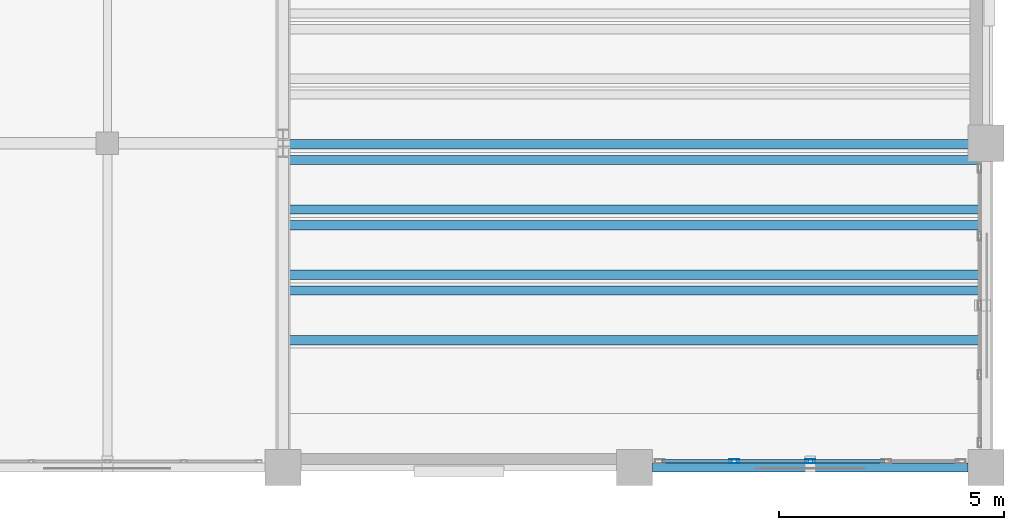
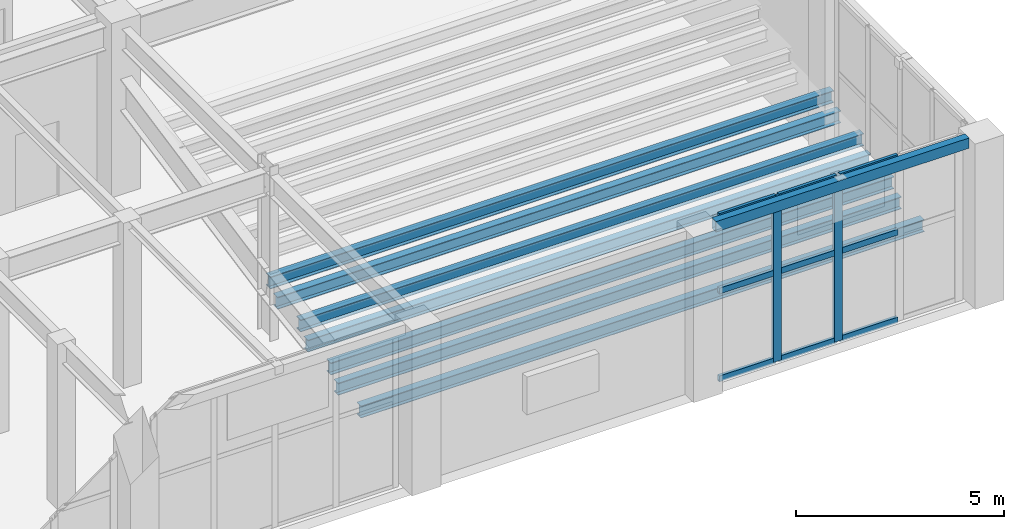
# One storey, part 80 of 128: 11 members, 8 beams, 1 element without a shape of its own.
"""IFC4 building model written with IfcOpenShell, lengths in metres."""

from ifc_helpers import new_model, si_unit, direction, frame, origin, origin_2d, place, context, subcontext, project, spatial, hollow_rectangle, i_section, extrude, material, layer, layer_set, material_profile, profile_set, type_object, element, aggregate, save


model = new_model("IFC4")

# Units and contexts
model_context = context("Model", 3, precision=1e-05, world=origin(), true_north=direction((0.0, 1.0)))
body_context = subcontext(model_context, "Body", "Model", "MODEL_VIEW")
ifc_project = project(units=[si_unit("LENGTHUNIT", "METRE"), si_unit("AREAUNIT", "SQUARE_METRE"), si_unit("VOLUMEUNIT", "CUBIC_METRE"), si_unit("PLANEANGLEUNIT", "RADIAN"), si_unit("MASSUNIT", "GRAM", prefix="KILO")], contexts=[model_context])

# Site, building, storey
site_placement = place(None, origin())
site = spatial("IfcSite", under=ifc_project, at=site_placement, CompositionType="ELEMENT")
building_placement = place(site_placement, origin())
building = spatial("IfcBuilding", under=site, at=building_placement, Name="Xicomal Pleat Aquarium", CompositionType="ELEMENT")
storey_placement = place(building_placement, frame((0.0, 0.0, 5.39990234375)))
storey = spatial("IfcBuildingStorey", under=building, at=storey_placement, Name="L02", CompositionType="ELEMENT", Elevation=5.39990234375)

# Beams
ifc_material_1 = material(Name="Structural steel A992 Gr 50", Category="steel")
ifc_material_profile_1 = material_profile(ifc_material_1, i_section(OverallWidth=0.205078125, OverallDepth=0.35400390625, WebThickness=0.009521484375, FlangeThickness=0.016845703125, at=origin_2d()), Name="IR 360x79")
ifc_profile_set_1 = profile_set([ifc_material_profile_1], Name="Structural steel A992 Gr 50")
beam_type_1 = type_object("IfcBeamType", Name="BM-STL-IR360", PredefinedType="JOIST", material=ifc_profile_set_1)
for number, where, z_axis, x_axis, name in (
    (1, (149.39990234375, 3.6298828125, 0.420166015625), (1.0, 0.0, 0.0), (0.0, 1.0, 0.0), "Auditorium seating tier cross beam 2A"),
    (2, (149.39990234375, 4.72998046875, 0.420166015625), (1.0, 0.0, 0.0), (0.0, 1.0, 0.0), "Auditorium seating tier cross beam 2B"),
    (3, (149.39990234375, 5.080078125, 0.800048828125), (1.0, 0.0, 0.0), (0.0, 1.0, 0.0), "Auditorium seating tier cross beam 3A"),
    (4, (149.39990234375, 6.179931640625, 0.800048828125), (1.0, 0.0, 0.0), (0.0, 1.0, 0.0), "Auditorium seating tier cross beam 3B"),
    (5, (149.39990234375, 6.530029296875, 1.18017578125), (1.0, 0.0, 0.0), (0.0, 1.0, 0.0), "Auditorium seating tier cross beam 4A"),
    (6, (149.39990234375, 7.6298828125, 1.18017578125), (1.0, 0.0, 0.0), (0.0, 1.0, 0.0), "Auditorium seating tier cross beam 4B"),
    (7, (149.39990234375, 7.97998046875, 1.56005859375), (1.0, 0.0, 0.0), (0.0, 1.0, 0.0), "Auditorium seating tier cross beam 5A"),
):
    element("IfcBeam", number, at=place(storey_placement, frame(where, z_axis=z_axis, x_axis=x_axis)), inside=storey, type_object=beam_type_1, Name=name, PredefinedType="JOIST", context=body_context, shape_type="SweptSolid", body=[
        extrude(i_section(OverallWidth=0.205078125, OverallDepth=0.35400390625, WebThickness=0.009521484375, FlangeThickness=0.016845703125, at=origin_2d()), origin(), (0.0, 0.0, 1.0), 15.60009765625),
    ])
ifc_material_2 = material(Name="Structural steel A500 Gr C", Category="steel")
ifc_material_profile_2 = material_profile(ifc_material_2, hollow_rectangle(XDim=0.199951171875, YDim=0.300048828125, WallThickness=0.011962890625, at=origin_2d()), Name="OR 300x200x12")
ifc_profile_set_2 = profile_set([ifc_material_profile_2], Name="Structural steel A500 Gr C")
beam_type_2 = type_object("IfcBeamType", Name="BM-STL-OR300", PredefinedType="SPANDREL", material=ifc_profile_set_2)
beam_placement = place(storey_placement, frame((157.594970703125, 0.800048828125, 4.690185546875), z_axis=(1.0, 0.0, 0.0), x_axis=(0.0, 1.0, 0.0)))
element("IfcBeam", 8, at=beam_placement, inside=storey, type_object=beam_type_2, Name="L02 framing beam FGX-L02-20-21-A", PredefinedType="SPANDREL", context=body_context, shape_type="SweptSolid", body=[
    extrude(hollow_rectangle(XDim=0.199951171875, YDim=0.300048828125, WallThickness=0.011962890625, at=origin_2d()), origin(), (0.0, 0.0, 1.0), 7.010009765625),
])

# Curtain wall, members
ifc_material_3 = material(Name="Bronze anodized aluminium 6063-T6", Category="aluminium")
ifc_layer = layer(ifc_material_3, 0.159912109375)
ifc_layer_set = layer_set([ifc_layer], Name="Bronze anodized aluminium 6063-T6")
curtain_wall_type = type_object("IfcCurtainWallType", Name="CW-SYS-12", PredefinedType="NOTDEFINED", material=ifc_layer_set)
curtain_wall_placement = place(storey_placement, origin())
curtain_wall = element("IfcCurtainWall", 9, at=curtain_wall_placement, inside=storey, type_object=curtain_wall_type, Name="L02 unitised curtain wall CW-L02-074", PredefinedType="NOTDEFINED")
ifc_material_4 = material(Name="Bronze anodized aluminium 6063-T6", Category="aluminium")
ifc_material_profile_3 = material_profile(ifc_material_4, hollow_rectangle(XDim=0.0849609375, YDim=0.219970703125, WallThickness=0.0048828125, at=origin_2d()), Name="ALU MULL 85x220")
ifc_profile_set_3 = profile_set([ifc_material_profile_3], Name="Bronze anodized aluminium 6063-T6")
member_type_1 = type_object("IfcMemberType", Name="CWM-85x220", PredefinedType="MULLION", material=ifc_profile_set_3)
member_1_placement = place(storey_placement, frame((161.10009765625, 0.93994140625, 0.0), z_axis=(0.0, 0.0, 1.0), x_axis=(0.0, -1.0, 0.0)))
member_1 = element("IfcMember", 10, at=member_1_placement, type_object=member_type_1, Name="CW-12 mullion 3", PredefinedType="MULLION", context=body_context, shape_type="SweptSolid", body=[
    extrude(hollow_rectangle(XDim=0.0849609375, YDim=0.219970703125, WallThickness=0.0048828125, at=origin_2d()), origin(), (0.0, 0.0, 1.0), 4.840087890625),
])
member_2_placement = place(storey_placement, frame((159.409912109375, 0.93994140625, 0.0), z_axis=(0.0, 0.0, 1.0), x_axis=(0.0, -1.0, 0.0)))
member_2 = element("IfcMember", 11, at=member_2_placement, type_object=member_type_1, Name="CW-12 mullion 4", PredefinedType="MULLION", context=body_context, shape_type="SweptSolid", body=[
    extrude(hollow_rectangle(XDim=0.0849609375, YDim=0.219970703125, WallThickness=0.0048828125, at=origin_2d()), origin(), (0.0, 0.0, 1.0), 4.840087890625),
])
ifc_material_5 = material(Name="Bronze anodized aluminium 6063-T6", Category="aluminium")
ifc_material_profile_4 = material_profile(ifc_material_5, hollow_rectangle(XDim=0.0849609375, YDim=0.169921875, WallThickness=0.0048828125, at=origin_2d()), Name="ALU TRAN 85x170")
ifc_profile_set_4 = profile_set([ifc_material_profile_4], Name="Bronze anodized aluminium 6063-T6")
member_type_2 = type_object("IfcMemberType", Name="CWT-85x170", PredefinedType="USERDEFINED", material=ifc_profile_set_4)
member_3_placement = place(storey_placement, frame((162.74755859375, 0.93994140625, 0.04248046875), z_axis=(-1.0, 0.0, 0.0), x_axis=(0.0, -1.0, 0.0)))
member_3 = element("IfcMember", 12, at=member_3_placement, type_object=member_type_2, Name="CW-12 transom 2.1", ObjectType="TRANSOM", PredefinedType="USERDEFINED", context=body_context, shape_type="SweptSolid", body=[
    extrude(hollow_rectangle(XDim=0.0849609375, YDim=0.169921875, WallThickness=0.0048828125, at=origin_2d()), origin(), (0.0, 0.0, 1.0), 1.60498046875),
])
member_4_placement = place(storey_placement, frame((162.74755859375, 0.93994140625, 2.614013671875), z_axis=(-1.0, 0.0, 0.0), x_axis=(0.0, -1.0, 0.0)))
member_4 = element("IfcMember", 13, at=member_4_placement, type_object=member_type_2, Name="CW-12 transom 2.2", ObjectType="TRANSOM", PredefinedType="USERDEFINED", context=body_context, shape_type="SweptSolid", body=[
    extrude(hollow_rectangle(XDim=0.0849609375, YDim=0.169921875, WallThickness=0.0048828125, at=origin_2d()), origin(), (0.0, 0.0, 1.0), 1.60498046875),
])
member_5_placement = place(storey_placement, frame((162.74755859375, 0.93994140625, 4.797607421875), z_axis=(-1.0, 0.0, 0.0), x_axis=(0.0, -1.0, 0.0)))
member_5 = element("IfcMember", 14, at=member_5_placement, type_object=member_type_2, Name="CW-12 transom 2.3", ObjectType="TRANSOM", PredefinedType="USERDEFINED", context=body_context, shape_type="SweptSolid", body=[
    extrude(hollow_rectangle(XDim=0.0849609375, YDim=0.169921875, WallThickness=0.0048828125, at=origin_2d()), origin(), (0.0, 0.0, 1.0), 1.60498046875),
])
member_6_placement = place(storey_placement, frame((161.0576171875, 0.93994140625, 0.04248046875), z_axis=(-1.0, 0.0, 0.0), x_axis=(0.0, -1.0, 0.0)))
member_6 = element("IfcMember", 15, at=member_6_placement, type_object=member_type_2, Name="CW-12 transom 3.1", ObjectType="TRANSOM", PredefinedType="USERDEFINED", context=body_context, shape_type="SweptSolid", body=[
    extrude(hollow_rectangle(XDim=0.0849609375, YDim=0.169921875, WallThickness=0.0048828125, at=origin_2d()), origin(), (0.0, 0.0, 1.0), 1.605224609375),
])
member_7_placement = place(storey_placement, frame((161.0576171875, 0.93994140625, 2.614013671875), z_axis=(-1.0, 0.0, 0.0), x_axis=(0.0, -1.0, 0.0)))
member_7 = element("IfcMember", 16, at=member_7_placement, type_object=member_type_2, Name="CW-12 transom 3.2", ObjectType="TRANSOM", PredefinedType="USERDEFINED", context=body_context, shape_type="SweptSolid", body=[
    extrude(hollow_rectangle(XDim=0.0849609375, YDim=0.169921875, WallThickness=0.0048828125, at=origin_2d()), origin(), (0.0, 0.0, 1.0), 1.605224609375),
])
member_8_placement = place(storey_placement, frame((161.0576171875, 0.93994140625, 4.797607421875), z_axis=(-1.0, 0.0, 0.0), x_axis=(0.0, -1.0, 0.0)))
member_8 = element("IfcMember", 17, at=member_8_placement, type_object=member_type_2, Name="CW-12 transom 3.3", ObjectType="TRANSOM", PredefinedType="USERDEFINED", context=body_context, shape_type="SweptSolid", body=[
    extrude(hollow_rectangle(XDim=0.0849609375, YDim=0.169921875, WallThickness=0.0048828125, at=origin_2d()), origin(), (0.0, 0.0, 1.0), 1.605224609375),
])
member_9_placement = place(storey_placement, frame((159.367431640625, 0.93994140625, 0.04248046875), z_axis=(-1.0, 0.0, 0.0), x_axis=(0.0, -1.0, 0.0)))
member_9 = element("IfcMember", 18, at=member_9_placement, type_object=member_type_2, Name="CW-12 transom 4.1", ObjectType="TRANSOM", PredefinedType="USERDEFINED", context=body_context, shape_type="SweptSolid", body=[
    extrude(hollow_rectangle(XDim=0.0849609375, YDim=0.169921875, WallThickness=0.0048828125, at=origin_2d()), origin(), (0.0, 0.0, 1.0), 1.5625),
])
member_10_placement = place(storey_placement, frame((159.367431640625, 0.93994140625, 2.614013671875), z_axis=(-1.0, 0.0, 0.0), x_axis=(0.0, -1.0, 0.0)))
member_10 = element("IfcMember", 19, at=member_10_placement, type_object=member_type_2, Name="CW-12 transom 4.2", ObjectType="TRANSOM", PredefinedType="USERDEFINED", context=body_context, shape_type="SweptSolid", body=[
    extrude(hollow_rectangle(XDim=0.0849609375, YDim=0.169921875, WallThickness=0.0048828125, at=origin_2d()), origin(), (0.0, 0.0, 1.0), 1.5625),
])
member_11_placement = place(storey_placement, frame((159.367431640625, 0.93994140625, 4.797607421875), z_axis=(-1.0, 0.0, 0.0), x_axis=(0.0, -1.0, 0.0)))
member_11 = element("IfcMember", 20, at=member_11_placement, type_object=member_type_2, Name="CW-12 transom 4.3", ObjectType="TRANSOM", PredefinedType="USERDEFINED", context=body_context, shape_type="SweptSolid", body=[
    extrude(hollow_rectangle(XDim=0.0849609375, YDim=0.169921875, WallThickness=0.0048828125, at=origin_2d()), origin(), (0.0, 0.0, 1.0), 1.5625),
])
aggregate(curtain_wall, [member_1, member_2, member_3, member_4, member_5, member_6, member_7, member_8, member_9, member_10, member_11])

save(model, "model.ifc")
